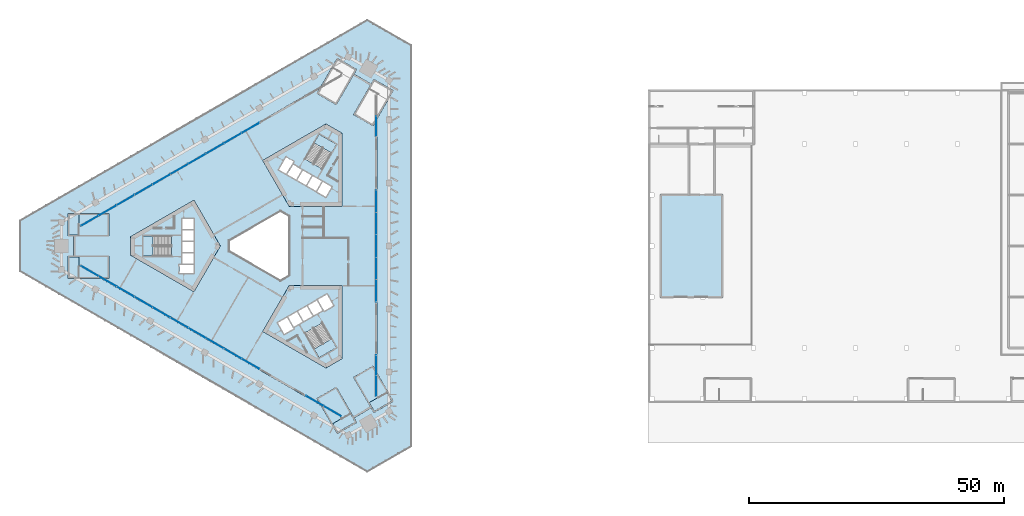
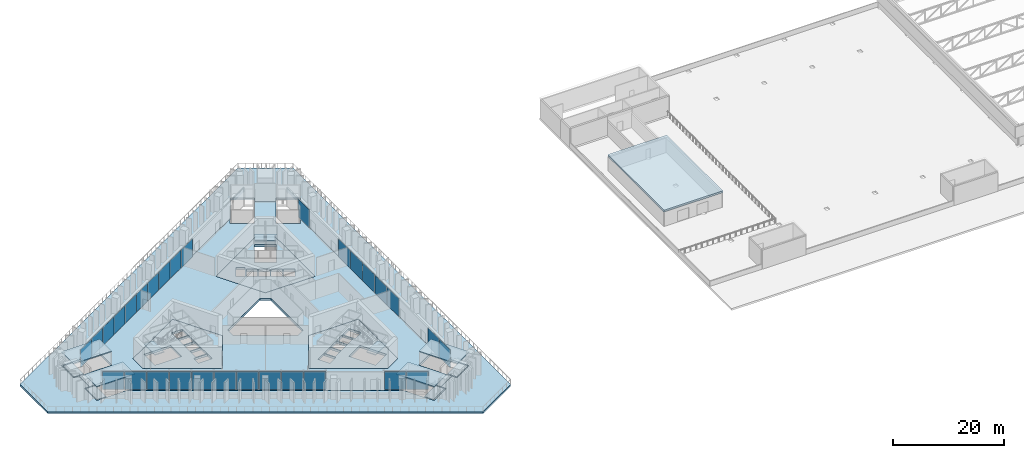
# One storey, part 14 of 31: 30 plates, 17 slabs, 9 elements without a shape of their own.
"""IFC4 building model written with IfcOpenShell, lengths in metres."""

import ifcopenshell
import ifcopenshell.guid

model = None  # the IFC model being written
_history = None  # IfcOwnerHistory: only IFC2X3 demands one
_inside = {}  # id of a spatial element -> (the spatial element, [elements in it])
_under = {}  # id of a project, library or spatial element -> (it, [spatial elements below it])
_declared = {}  # id of a project -> (the project, [libraries it declares])
_typed = {}  # id of a type object -> (the type object, [elements of that type])
_made_of = {}  # id of a material, layer set ... -> (it, [elements and type objects made of it])


def new_model(schema):
    """Start an empty IFC model of exactly this schema.

    Asked for "IFC4X3", IfcOpenShell would pick the latest addendum, in which some entities
    have other attributes; the version numbers below select the first issue.
    IFC2X3 requires an IfcOwnerHistory on every rooted entity: one is made here for all.
    """
    global model, _history
    if schema == "IFC4X3":
        model = ifcopenshell.file(schema_version=(4, 3, 0, 0))
    else:
        model = ifcopenshell.file(schema=schema)
    _inside.clear()
    _under.clear()
    _declared.clear()
    _typed.clear()
    _made_of.clear()
    _history = None
    if model.schema == "IFC2X3":
        org = make("IfcOrganization", Name="unknown")
        user = make(
            "IfcPersonAndOrganization",
            ThePerson=make("IfcPerson", FamilyName="unknown"),
            TheOrganization=org,
        )
        app = make(
            "IfcApplication",
            ApplicationDeveloper=org,
            Version="unknown",
            ApplicationFullName="unknown",
            ApplicationIdentifier="unknown",
        )
        _history = make(
            "IfcOwnerHistory",
            OwningUser=user,
            OwningApplication=app,
            ChangeAction="ADDED",
            CreationDate=0,
        )
    return model


def make(cls, **values):
    """One entity of the class cls with the attributes given. An attribute that is None is left unset."""
    return model.create_entity(
        cls, **{name: value for name, value in values.items() if value is not None}
    )


def rooted(cls, **values):
    """An entity with a GlobalId (a new one), such as an element, a storey or a relation."""
    return make(cls, GlobalId=ifcopenshell.guid.new(), OwnerHistory=_history, **values)


def si_unit(unit_type, name, prefix=None):
    """IfcSIUnit, for example si_unit("LENGTHUNIT", "METRE", prefix="MILLI")."""
    return make("IfcSIUnit", UnitType=unit_type, Prefix=prefix, Name=name)


def assignment(units):
    """IfcUnitAssignment: the units of a project."""
    return None if units is None else make("IfcUnitAssignment", Units=units)


def point(xyz):
    """IfcCartesianPoint."""
    return None if xyz is None else make("IfcCartesianPoint", Coordinates=xyz)


def direction(xyz):
    """IfcDirection."""
    return None if xyz is None else make("IfcDirection", DirectionRatios=xyz)


def frame(location, z_axis=None, x_axis=None):
    """IfcAxis2Placement3D, a coordinate frame: its origin and axes. An axis left out is left unset."""
    return make(
        "IfcAxis2Placement3D",
        Location=point(location),
        Axis=direction(z_axis),
        RefDirection=direction(x_axis),
    )


def frame_2d(location, x_axis=None):
    """IfcAxis2Placement2D, a coordinate frame in the plane: its origin and x axis."""
    return make(
        "IfcAxis2Placement2D", Location=point(location), RefDirection=direction(x_axis)
    )


def origin():
    """The frame at (0, 0, 0) with its axes left unset."""
    return frame((0.0, 0.0, 0.0))


def origin_2d():
    """The frame at (0, 0) in the plane with its x axis left unset."""
    return frame_2d((0.0, 0.0))


def place(relative_to, where):
    """IfcLocalPlacement: puts the frame where relative to a parent placement (None: the world)."""
    return make(
        "IfcLocalPlacement", PlacementRelTo=relative_to, RelativePlacement=where
    )


def context(
    kind, dimensions, precision=None, world=None, true_north=None, identifier=None
):
    """IfcGeometricRepresentationContext, for example the 3D "Model" context."""
    return make(
        "IfcGeometricRepresentationContext",
        ContextIdentifier=identifier,
        ContextType=kind,
        CoordinateSpaceDimension=dimensions,
        Precision=precision,
        WorldCoordinateSystem=world,
        TrueNorth=true_north,
    )


def subcontext(parent, identifier, kind, view, scale=None):
    """IfcGeometricRepresentationSubContext, for example "Body" below "Model"."""
    return make(
        "IfcGeometricRepresentationSubContext",
        ContextIdentifier=identifier,
        ContextType=kind,
        ParentContext=parent,
        TargetScale=scale,
        TargetView=view,
    )


def project(units=None, contexts=None):
    """IfcProject with its units and contexts."""
    return rooted(
        "IfcProject",
        Name="project",
        RepresentationContexts=contexts,
        UnitsInContext=assignment(units),
    )


def spatial(cls, under=None, at=None, **own):
    """A site, building, storey or space (cls), placed at a placement, below another one or the project."""
    s = rooted(cls, ObjectPlacement=at, **own)
    if under is not None:
        _under.setdefault(under.id(), (under, []))[1].append(s)
    return s


def polyline(points):
    """IfcPolyline through the points."""
    return make("IfcPolyline", Points=[point(p) for p in points])


def profile(cls, at=None, kind="AREA", **sizes):
    """A parametric profile (cls). Its sizes go by their IFC names, for example OverallWidth=200.0."""
    return make(cls, ProfileType=kind, Position=at, **sizes)


def rectangle(**sizes):
    """IfcRectangleProfileDef."""
    return profile("IfcRectangleProfileDef", **sizes)


def outline(outer, holes=None, kind="AREA"):
    """IfcArbitraryClosedProfileDef: a profile drawn as a closed curve; with holes, ...WithVoids."""
    if holes is None:
        return make("IfcArbitraryClosedProfileDef", ProfileType=kind, OuterCurve=outer)
    return make(
        "IfcArbitraryProfileDefWithVoids",
        ProfileType=kind,
        OuterCurve=outer,
        InnerCurves=holes,
    )


def extrude(swept, where, along, depth):
    """IfcExtrudedAreaSolid: the profile swept, set in the frame where, extruded along a direction by depth."""
    return make(
        "IfcExtrudedAreaSolid",
        SweptArea=swept,
        Position=where,
        ExtrudedDirection=direction(along),
        Depth=depth,
    )


def shape(context_of_items, identifier, shape_type, items):
    """IfcShapeRepresentation: the items that make up one representation, for example the "Body"."""
    return make(
        "IfcShapeRepresentation",
        ContextOfItems=context_of_items,
        RepresentationIdentifier=identifier,
        RepresentationType=shape_type,
        Items=items,
    )


def material(Name=None, Category=None):
    """IfcMaterial."""
    return make("IfcMaterial", Name=Name, Category=Category)


def layer(
    of_material, thickness, ventilated=None, Name=None, Category=None, Priority=None
):
    """IfcMaterialLayer: one layer of a wall or slab, of a material (None: an air gap)."""
    return make(
        "IfcMaterialLayer",
        Material=of_material,
        LayerThickness=thickness,
        IsVentilated=ventilated,
        Name=Name,
        Category=Category,
        Priority=Priority,
    )


def layer_set(layers, Name=None):
    """IfcMaterialLayerSet."""
    return make("IfcMaterialLayerSet", MaterialLayers=layers, LayerSetName=Name)


def made_of(thing, what):
    """Note that an element or type object is made of a material, layer set ...; save() writes the relation."""
    if what is not None:
        _made_of.setdefault(what.id(), (what, []))[1].append(thing)
    return thing


def type_object(cls, material=None, **own):
    """A type object (cls), such as IfcWallType, which elements share."""
    return made_of(rooted(cls, **own), material)


def element(
    cls,
    number,
    at=None,
    inside=None,
    cuts=None,
    type_object=None,
    material=None,
    context=None,
    identifier="Body",
    shape_type=None,
    held_by="IfcProductDefinitionShape",
    body=None,
    shapes=None,
    **own,
):
    """One element of the class cls, such as IfcWall. Its Tag is "e" and its number.

    at: its placement. inside: the storey or other place that contains it. cuts: it is an
    opening in that element (IfcRelVoidsElement). A single representation is given by context,
    identifier, shape_type and body (its items); several are given by shapes. held_by: the class
    of the entity that holds the representations. save() writes the other relations.
    """
    e = rooted(cls, Tag="e%d" % number, ObjectPlacement=at, **own)
    if body is not None:
        shapes = [shape(context, identifier, shape_type, body)]
    if shapes is not None:
        e.Representation = make(held_by, Representations=shapes)
    if inside is not None:
        _inside.setdefault(inside.id(), (inside, []))[1].append(e)
    if cuts is not None:
        rooted(
            "IfcRelVoidsElement", RelatingBuildingElement=cuts, RelatedOpeningElement=e
        )
    if type_object is not None:
        _typed.setdefault(type_object.id(), (type_object, []))[1].append(e)
    return made_of(e, material)


def aggregate(whole, parts):
    """IfcRelAggregates: a whole, such as a stair, and the parts it consists of."""
    return rooted("IfcRelAggregates", RelatingObject=whole, RelatedObjects=parts)


def save(model, path):
    """Write the relations noted so far, then the file.

    IfcRelAggregates (storeys below a building ...), IfcRelContainedInSpatialStructure (elements
    in a storey), IfcRelDefinesByType, IfcRelAssociatesMaterial and IfcRelDeclares: one each for
    every whole, place, type object, material and project.
    """
    for whole, parts in _under.values():
        aggregate(whole, parts)
    for where, things in _inside.values():
        rooted(
            "IfcRelContainedInSpatialStructure",
            RelatedElements=things,
            RelatingStructure=where,
        )
    for kind, things in _typed.values():
        rooted("IfcRelDefinesByType", RelatedObjects=things, RelatingType=kind)
    for what, things in _made_of.values():
        rooted("IfcRelAssociatesMaterial", RelatedObjects=things, RelatingMaterial=what)
    for by, libraries in _declared.values():
        rooted("IfcRelDeclares", RelatingContext=by, RelatedDefinitions=libraries)
    model.write(path)


model = new_model("IFC4")

# Units and contexts
model_context = context("Model", 3, precision=1e-05, world=origin(), true_north=direction((0.0, 1.0)))
body_context = subcontext(model_context, "Body", "Model", "MODEL_VIEW")
ifc_project = project(units=[si_unit("LENGTHUNIT", "METRE"), si_unit("AREAUNIT", "SQUARE_METRE"), si_unit("VOLUMEUNIT", "CUBIC_METRE"), si_unit("PLANEANGLEUNIT", "RADIAN"), si_unit("MASSUNIT", "GRAM", prefix="KILO")], contexts=[model_context])

# Site, building, storey
site_placement = place(None, origin())
site = spatial("IfcSite", under=ifc_project, at=site_placement, CompositionType="ELEMENT")
building_placement = place(site_placement, origin())
building = spatial("IfcBuilding", under=site, at=building_placement, Name="Jabali Bay Hotel Tower and Convention Centre", CompositionType="ELEMENT")
storey_placement = place(building_placement, frame((0.0, 0.0, 25.39990234375)))
storey = spatial("IfcBuildingStorey", under=building, at=storey_placement, Name="L04", CompositionType="ELEMENT", Elevation=25.39990234375)

# Slab
ifc_material_1 = material(Name="Concrete C40", Category="concrete")
ifc_layer_1 = layer(ifc_material_1, 0.409912109375)
ifc_layer_set_1 = layer_set([ifc_layer_1], Name="Concrete C40")
slab_type_1 = type_object("IfcSlabType", Name="CC Roof Slab 410", PredefinedType="ROOF", material=ifc_layer_set_1)
slab_1_placement = place(storey_placement, frame((0.0, 0.0, 3.190185546875)))
element("IfcSlab", 1, at=slab_1_placement, inside=storey, type_object=slab_type_1, Name="CC roof garden restaurant roof", PredefinedType="ROOF", context=body_context, shape_type="SweptSolid", body=[
    extrude(outline(polyline([(164.64990234375, 69.85009765625), (164.64990234375, 90.14990234375), (152.35009765625, 90.14990234375), (152.35009765625, 69.85009765625), (164.64990234375, 69.85009765625)])), origin(), (0.0, 0.0, 1.0), 0.409912109375),
])

# Curtain wall, plates
ifc_material_2 = material(Name="Aluminium and glass", Category="aluminium")
ifc_layer_2 = layer(ifc_material_2, 0.199951171875)
ifc_layer_set_2 = layer_set([ifc_layer_2], Name="Aluminium and glass")
curtain_wall_type = type_object("IfcCurtainWallType", Name="CW6 curtain wall", PredefinedType="NOTDEFINED", material=ifc_layer_set_2)
curtain_wall_1_placement = place(storey_placement, origin())
curtain_wall_1 = element("IfcCurtainWall", 2, at=curtain_wall_1_placement, inside=storey, type_object=curtain_wall_type, Name="CW6 curtain wall east face L04", PredefinedType="NOTDEFINED")
ifc_material_3 = material(Name="Glass", Category="glass")
ifc_layer_3 = layer(ifc_material_3, 0.031982421875)
ifc_layer_set_3 = layer_set([ifc_layer_3], Name="Glass")
plate_type = type_object("IfcPlateType", Name="CW6 glass panel 32", PredefinedType="CURTAIN_PANEL", material=ifc_layer_set_3)
plate_1_placement = place(storey_placement, frame((96.5927734375, 56.52099609375, 0.06005859375), z_axis=(0.0, 0.0, 1.0), x_axis=(0.0, -1.0, 0.0)))
plate_1 = element("IfcPlate", 3, at=plate_1_placement, type_object=plate_type, Name="CW6 panel 1.1", PredefinedType="CURTAIN_PANEL", context=body_context, shape_type="SweptSolid", body=[
    extrude(rectangle(XDim=3.964599609375, YDim=0.031982421875, at=origin_2d()), origin(), (0.0, 0.0, 1.0), 3.97998046875),
])
plate_2_placement = place(storey_placement, frame((96.5927734375, 52.49658203125, 0.06005859375), z_axis=(0.0, 0.0, 1.0), x_axis=(0.0, -1.0, 0.0)))
plate_2 = element("IfcPlate", 4, at=plate_2_placement, type_object=plate_type, Name="CW6 panel 2.1", PredefinedType="CURTAIN_PANEL", context=body_context, shape_type="SweptSolid", body=[
    extrude(rectangle(XDim=3.964599609375, YDim=0.031982421875, at=origin_2d()), origin(), (0.0, 0.0, 1.0), 3.97998046875),
])
aggregate(curtain_wall_1, [plate_1, plate_2])

curtain_wall_2_placement = place(storey_placement, origin())
curtain_wall_2 = element("IfcCurtainWall", 5, at=curtain_wall_2_placement, inside=storey, type_object=curtain_wall_type, Name="CW6 curtain wall east face L04", PredefinedType="NOTDEFINED")
plate_3_placement = place(storey_placement, frame((96.5927734375, 88.778564453125, 0.06005859375), z_axis=(0.0, 0.0, 1.0), x_axis=(0.0, -1.0, 0.0)))
plate_3 = element("IfcPlate", 6, at=plate_3_placement, type_object=plate_type, Name="CW6 panel 1.1", PredefinedType="CURTAIN_PANEL", context=body_context, shape_type="SweptSolid", body=[
    extrude(rectangle(XDim=4.306884765625, YDim=0.031982421875, at=origin_2d()), origin(), (0.0, 0.0, 1.0), 3.97998046875),
])
plate_4_placement = place(storey_placement, frame((96.5927734375, 84.396728515625, 0.06005859375), z_axis=(0.0, 0.0, 1.0), x_axis=(0.0, -1.0, 0.0)))
plate_4 = element("IfcPlate", 7, at=plate_4_placement, type_object=plate_type, Name="CW6 panel 2.1", PredefinedType="CURTAIN_PANEL", context=body_context, shape_type="SweptSolid", body=[
    extrude(rectangle(XDim=4.3369140625, YDim=0.031982421875, at=origin_2d()), origin(), (0.0, 0.0, 1.0), 3.97998046875),
])
plate_5_placement = place(storey_placement, frame((96.5927734375, 80.0, 0.06005859375), z_axis=(0.0, 0.0, 1.0), x_axis=(0.0, -1.0, 0.0)))
plate_5 = element("IfcPlate", 8, at=plate_5_placement, type_object=plate_type, Name="CW6 panel 3.1", PredefinedType="CURTAIN_PANEL", context=body_context, shape_type="SweptSolid", body=[
    extrude(rectangle(XDim=4.3369140625, YDim=0.031982421875, at=origin_2d()), origin(), (0.0, 0.0, 1.0), 3.97998046875),
])
plate_6_placement = place(storey_placement, frame((96.5927734375, 75.603271484375, 0.06005859375), z_axis=(0.0, 0.0, 1.0), x_axis=(0.0, -1.0, 0.0)))
plate_6 = element("IfcPlate", 9, at=plate_6_placement, type_object=plate_type, Name="CW6 panel 4.1", PredefinedType="CURTAIN_PANEL", context=body_context, shape_type="SweptSolid", body=[
    extrude(rectangle(XDim=4.3369140625, YDim=0.031982421875, at=origin_2d()), origin(), (0.0, 0.0, 1.0), 3.97998046875),
])
plate_7_placement = place(storey_placement, frame((96.5927734375, 71.221435546875, 0.06005859375), z_axis=(0.0, 0.0, 1.0), x_axis=(0.0, -1.0, 0.0)))
plate_7 = element("IfcPlate", 10, at=plate_7_placement, type_object=plate_type, Name="CW6 panel 5.1", PredefinedType="CURTAIN_PANEL", context=body_context, shape_type="SweptSolid", body=[
    extrude(rectangle(XDim=4.306884765625, YDim=0.031982421875, at=origin_2d()), origin(), (0.0, 0.0, 1.0), 3.97998046875),
])
aggregate(curtain_wall_2, [plate_3, plate_4, plate_5, plate_6, plate_7])

# Curtain wall, plate
curtain_wall_3_placement = place(storey_placement, origin())
curtain_wall_3 = element("IfcCurtainWall", 11, at=curtain_wall_3_placement, inside=storey, type_object=curtain_wall_type, Name="CW6 curtain wall east face L04", PredefinedType="NOTDEFINED")
plate_8_placement = place(storey_placement, frame((96.5927734375, 103.47900390625, 0.06005859375), z_axis=(0.0, 0.0, 1.0), x_axis=(0.0, -1.0, 0.0)))
plate_8 = element("IfcPlate", 12, at=plate_8_placement, type_object=plate_type, Name="CW6 panel 2.1", PredefinedType="CURTAIN_PANEL", context=body_context, shape_type="SweptSolid", body=[
    extrude(rectangle(XDim=3.964599609375, YDim=0.031982421875, at=origin_2d()), origin(), (0.0, 0.0, 1.0), 3.97998046875),
])
aggregate(curtain_wall_3, [plate_8])

# Curtain wall, plates
curtain_wall_4_placement = place(storey_placement, origin())
curtain_wall_4 = element("IfcCurtainWall", 13, at=curtain_wall_4_placement, inside=storey, type_object=curtain_wall_type, Name="CW6 curtain wall north-west face L04", PredefinedType="NOTDEFINED")
plate_9_placement = place(storey_placement, frame((40.384521484375, 84.947998046875, 0.06005859375), z_axis=(0.0, 0.0, 1.0), x_axis=(0.866025404971, 0.499999997944, 0.0)))
plate_9 = element("IfcPlate", 14, at=plate_9_placement, type_object=plate_type, Name="CW6 panel 1.1", PredefinedType="CURTAIN_PANEL", context=body_context, shape_type="SweptSolid", body=[
    extrude(rectangle(XDim=3.9638671875, YDim=0.031982421875, at=origin_2d()), origin(), (0.0, 0.0, 1.0), 3.97998046875),
])
plate_10_placement = place(storey_placement, frame((43.882080078125, 86.967529296875, 0.06005859375), z_axis=(0.0, 0.0, 1.0), x_axis=(0.866025404971, 0.499999997944, 0.0)))
plate_10 = element("IfcPlate", 15, at=plate_10_placement, type_object=plate_type, Name="CW6 panel 2.1", PredefinedType="CURTAIN_PANEL", context=body_context, shape_type="SweptSolid", body=[
    extrude(rectangle(XDim=3.993896484375, YDim=0.031982421875, at=origin_2d()), origin(), (0.0, 0.0, 1.0), 3.97998046875),
])
plate_11_placement = place(storey_placement, frame((47.392822265625, 88.994384765625, 0.06005859375), z_axis=(0.0, 0.0, 1.0), x_axis=(0.866025404971, 0.499999997944, 0.0)))
plate_11 = element("IfcPlate", 16, at=plate_11_placement, type_object=plate_type, Name="CW6 panel 3.1", PredefinedType="CURTAIN_PANEL", context=body_context, shape_type="SweptSolid", body=[
    extrude(rectangle(XDim=3.993896484375, YDim=0.031982421875, at=origin_2d()), origin(), (0.0, 0.0, 1.0), 3.97998046875),
])
plate_12_placement = place(storey_placement, frame((50.903564453125, 91.021240234375, 0.06005859375), z_axis=(0.0, 0.0, 1.0), x_axis=(0.866025404971, 0.499999997944, 0.0)))
plate_12 = element("IfcPlate", 17, at=plate_12_placement, type_object=plate_type, Name="CW6 panel 4.1", PredefinedType="CURTAIN_PANEL", context=body_context, shape_type="SweptSolid", body=[
    extrude(rectangle(XDim=3.993896484375, YDim=0.031982421875, at=origin_2d()), origin(), (0.0, 0.0, 1.0), 3.97998046875),
])
plate_13_placement = place(storey_placement, frame((54.414306640625, 93.048095703125, 0.06005859375), z_axis=(0.0, 0.0, 1.0), x_axis=(0.866025404971, 0.499999997944, 0.0)))
plate_13 = element("IfcPlate", 18, at=plate_13_placement, type_object=plate_type, Name="CW6 panel 5.1", PredefinedType="CURTAIN_PANEL", context=body_context, shape_type="SweptSolid", body=[
    extrude(rectangle(XDim=3.993896484375, YDim=0.031982421875, at=origin_2d()), origin(), (0.0, 0.0, 1.0), 3.97998046875),
])
plate_14_placement = place(storey_placement, frame((57.925048828125, 95.074951171875, 0.06005859375), z_axis=(0.0, 0.0, 1.0), x_axis=(0.866025404971, 0.499999997944, 0.0)))
plate_14 = element("IfcPlate", 19, at=plate_14_placement, type_object=plate_type, Name="CW6 panel 6.1", PredefinedType="CURTAIN_PANEL", context=body_context, shape_type="SweptSolid", body=[
    extrude(rectangle(XDim=3.993896484375, YDim=0.031982421875, at=origin_2d()), origin(), (0.0, 0.0, 1.0), 3.97998046875),
])
plate_15_placement = place(storey_placement, frame((61.435546875, 97.101806640625, 0.06005859375), z_axis=(0.0, 0.0, 1.0), x_axis=(0.866025404971, 0.499999997944, 0.0)))
plate_15 = element("IfcPlate", 20, at=plate_15_placement, type_object=plate_type, Name="CW6 panel 7.1", PredefinedType="CURTAIN_PANEL", context=body_context, shape_type="SweptSolid", body=[
    extrude(rectangle(XDim=3.993896484375, YDim=0.031982421875, at=origin_2d()), origin(), (0.0, 0.0, 1.0), 3.97998046875),
])
plate_16_placement = place(storey_placement, frame((64.9462890625, 99.12890625, 0.06005859375), z_axis=(0.0, 0.0, 1.0), x_axis=(0.866025404971, 0.499999997944, 0.0)))
plate_16 = element("IfcPlate", 21, at=plate_16_placement, type_object=plate_type, Name="CW6 panel 8.1", PredefinedType="CURTAIN_PANEL", context=body_context, shape_type="SweptSolid", body=[
    extrude(rectangle(XDim=3.993896484375, YDim=0.031982421875, at=origin_2d()), origin(), (0.0, 0.0, 1.0), 3.97998046875),
])
plate_17_placement = place(storey_placement, frame((68.45703125, 101.15576171875, 0.06005859375), z_axis=(0.0, 0.0, 1.0), x_axis=(0.866025404971, 0.499999997944, 0.0)))
plate_17 = element("IfcPlate", 22, at=plate_17_placement, type_object=plate_type, Name="CW6 panel 9.1", PredefinedType="CURTAIN_PANEL", context=body_context, shape_type="SweptSolid", body=[
    extrude(rectangle(XDim=3.993896484375, YDim=0.031982421875, at=origin_2d()), origin(), (0.0, 0.0, 1.0), 3.97998046875),
])
plate_18_placement = place(storey_placement, frame((71.95458984375, 103.175048828125, 0.06005859375), z_axis=(0.0, 0.0, 1.0), x_axis=(0.866025404971, 0.499999997944, 0.0)))
plate_18 = element("IfcPlate", 23, at=plate_18_placement, type_object=plate_type, Name="CW6 panel 10.1", PredefinedType="CURTAIN_PANEL", context=body_context, shape_type="SweptSolid", body=[
    extrude(rectangle(XDim=3.9638671875, YDim=0.031982421875, at=origin_2d()), origin(), (0.0, 0.0, 1.0), 3.97998046875),
])
aggregate(curtain_wall_4, [plate_9, plate_10, plate_11, plate_12, plate_13, plate_14, plate_15, plate_16, plate_17, plate_18])

curtain_wall_5_placement = place(storey_placement, origin())
curtain_wall_5 = element("IfcCurtainWall", 24, at=curtain_wall_5_placement, inside=storey, type_object=curtain_wall_type, Name="CW6 curtain wall south-west face L04", PredefinedType="NOTDEFINED")
plate_19_placement = place(storey_placement, frame((71.95458984375, 56.824951171875, 0.06005859375), z_axis=(0.0, 0.0, 1.0), x_axis=(-0.866025404971, 0.499999997944, 0.0)))
plate_19 = element("IfcPlate", 25, at=plate_19_placement, type_object=plate_type, Name="CW6 panel 1.1", PredefinedType="CURTAIN_PANEL", context=body_context, shape_type="SweptSolid", body=[
    extrude(rectangle(XDim=3.9638671875, YDim=0.031982421875, at=origin_2d()), origin(), (0.0, 0.0, 1.0), 3.97998046875),
])
plate_20_placement = place(storey_placement, frame((68.45703125, 58.84423828125, 0.06005859375), z_axis=(0.0, 0.0, 1.0), x_axis=(-0.866025404971, 0.499999997944, 0.0)))
plate_20 = element("IfcPlate", 26, at=plate_20_placement, type_object=plate_type, Name="CW6 panel 2.1", PredefinedType="CURTAIN_PANEL", context=body_context, shape_type="SweptSolid", body=[
    extrude(rectangle(XDim=3.993896484375, YDim=0.031982421875, at=origin_2d()), origin(), (0.0, 0.0, 1.0), 3.97998046875),
])
plate_21_placement = place(storey_placement, frame((64.9462890625, 60.87109375, 0.06005859375), z_axis=(0.0, 0.0, 1.0), x_axis=(-0.866025404971, 0.499999997944, 0.0)))
plate_21 = element("IfcPlate", 27, at=plate_21_placement, type_object=plate_type, Name="CW6 panel 3.1", PredefinedType="CURTAIN_PANEL", context=body_context, shape_type="SweptSolid", body=[
    extrude(rectangle(XDim=3.993896484375, YDim=0.031982421875, at=origin_2d()), origin(), (0.0, 0.0, 1.0), 3.97998046875),
])
plate_22_placement = place(storey_placement, frame((61.435546875, 62.898193359375, 0.06005859375), z_axis=(0.0, 0.0, 1.0), x_axis=(-0.866025404971, 0.499999997944, 0.0)))
plate_22 = element("IfcPlate", 28, at=plate_22_placement, type_object=plate_type, Name="CW6 panel 4.1", PredefinedType="CURTAIN_PANEL", context=body_context, shape_type="SweptSolid", body=[
    extrude(rectangle(XDim=3.993896484375, YDim=0.031982421875, at=origin_2d()), origin(), (0.0, 0.0, 1.0), 3.97998046875),
])
plate_23_placement = place(storey_placement, frame((57.925048828125, 64.925048828125, 0.06005859375), z_axis=(0.0, 0.0, 1.0), x_axis=(-0.866025404971, 0.499999997944, 0.0)))
plate_23 = element("IfcPlate", 29, at=plate_23_placement, type_object=plate_type, Name="CW6 panel 5.1", PredefinedType="CURTAIN_PANEL", context=body_context, shape_type="SweptSolid", body=[
    extrude(rectangle(XDim=3.993896484375, YDim=0.031982421875, at=origin_2d()), origin(), (0.0, 0.0, 1.0), 3.97998046875),
])
plate_24_placement = place(storey_placement, frame((54.414306640625, 66.951904296875, 0.06005859375), z_axis=(0.0, 0.0, 1.0), x_axis=(-0.866025404971, 0.499999997944, 0.0)))
plate_24 = element("IfcPlate", 30, at=plate_24_placement, type_object=plate_type, Name="CW6 panel 6.1", PredefinedType="CURTAIN_PANEL", context=body_context, shape_type="SweptSolid", body=[
    extrude(rectangle(XDim=3.993896484375, YDim=0.031982421875, at=origin_2d()), origin(), (0.0, 0.0, 1.0), 3.97998046875),
])
plate_25_placement = place(storey_placement, frame((50.903564453125, 68.978759765625, 0.06005859375), z_axis=(0.0, 0.0, 1.0), x_axis=(-0.866025404971, 0.499999997944, 0.0)))
plate_25 = element("IfcPlate", 31, at=plate_25_placement, type_object=plate_type, Name="CW6 panel 7.1", PredefinedType="CURTAIN_PANEL", context=body_context, shape_type="SweptSolid", body=[
    extrude(rectangle(XDim=3.993896484375, YDim=0.031982421875, at=origin_2d()), origin(), (0.0, 0.0, 1.0), 3.97998046875),
])
plate_26_placement = place(storey_placement, frame((47.392822265625, 71.005615234375, 0.06005859375), z_axis=(0.0, 0.0, 1.0), x_axis=(-0.866025404971, 0.499999997944, 0.0)))
plate_26 = element("IfcPlate", 32, at=plate_26_placement, type_object=plate_type, Name="CW6 panel 8.1", PredefinedType="CURTAIN_PANEL", context=body_context, shape_type="SweptSolid", body=[
    extrude(rectangle(XDim=3.993896484375, YDim=0.031982421875, at=origin_2d()), origin(), (0.0, 0.0, 1.0), 3.97998046875),
])
plate_27_placement = place(storey_placement, frame((43.882080078125, 73.032470703125, 0.06005859375), z_axis=(0.0, 0.0, 1.0), x_axis=(-0.866025404971, 0.499999997944, 0.0)))
plate_27 = element("IfcPlate", 33, at=plate_27_placement, type_object=plate_type, Name="CW6 panel 9.1", PredefinedType="CURTAIN_PANEL", context=body_context, shape_type="SweptSolid", body=[
    extrude(rectangle(XDim=3.993896484375, YDim=0.031982421875, at=origin_2d()), origin(), (0.0, 0.0, 1.0), 3.97998046875),
])
plate_28_placement = place(storey_placement, frame((40.384521484375, 75.052001953125, 0.06005859375), z_axis=(0.0, 0.0, 1.0), x_axis=(-0.866025404971, 0.499999997944, 0.0)))
plate_28 = element("IfcPlate", 34, at=plate_28_placement, type_object=plate_type, Name="CW6 panel 10.1", PredefinedType="CURTAIN_PANEL", context=body_context, shape_type="SweptSolid", body=[
    extrude(rectangle(XDim=3.9638671875, YDim=0.031982421875, at=origin_2d()), origin(), (0.0, 0.0, 1.0), 3.97998046875),
])
aggregate(curtain_wall_5, [plate_19, plate_20, plate_21, plate_22, plate_23, plate_24, plate_25, plate_26, plate_27, plate_28])

curtain_wall_6_placement = place(storey_placement, origin())
curtain_wall_6 = element("IfcCurtainWall", 35, at=curtain_wall_6_placement, inside=storey, type_object=curtain_wall_type, Name="CW6 curtain wall south-west face L04", PredefinedType="NOTDEFINED")
plate_29_placement = place(storey_placement, frame((88.022216796875, 47.54833984375, 0.06005859375), z_axis=(0.0, 0.0, 1.0), x_axis=(-0.866025404971, 0.499999997944, 0.0)))
plate_29 = element("IfcPlate", 36, at=plate_29_placement, type_object=plate_type, Name="CW6 panel 1.1", PredefinedType="CURTAIN_PANEL", context=body_context, shape_type="SweptSolid", body=[
    extrude(rectangle(XDim=3.964599609375, YDim=0.031982421875, at=origin_2d()), origin(), (0.0, 0.0, 1.0), 3.97998046875),
])
plate_30_placement = place(storey_placement, frame((84.537109375, 49.560546875, 0.06005859375), z_axis=(0.0, 0.0, 1.0), x_axis=(-0.866025404971, 0.499999997944, 0.0)))
plate_30 = element("IfcPlate", 37, at=plate_30_placement, type_object=plate_type, Name="CW6 panel 2.1", PredefinedType="CURTAIN_PANEL", context=body_context, shape_type="SweptSolid", body=[
    extrude(rectangle(XDim=3.964599609375, YDim=0.031982421875, at=origin_2d()), origin(), (0.0, 0.0, 1.0), 3.97998046875),
])
aggregate(curtain_wall_6, [plate_29, plate_30])

# Slabs
ifc_layer_4 = layer(ifc_material_1, 0.5)
ifc_layer_set_4 = layer_set([ifc_layer_4], Name="Concrete C40")
slab_type_2 = type_object("IfcSlabType", Name="Core floor slab 500", PredefinedType="FLOOR", material=ifc_layer_set_4)
slab_2_placement = place(storey_placement, frame((0.0, 0.0, -0.5)))
element("IfcSlab", 38, at=slab_2_placement, inside=storey, type_object=slab_type_2, Name="Core floor slab 1 L04", PredefinedType="FLOOR", context=body_context, shape_type="SweptSolid", body=[
    extrude(outline(polyline([(66.0, 80.0), (60.81005859375, 88.9892578125), (48.39697265625, 81.82275390625), (48.39697265625, 78.17724609375), (60.81005859375, 71.0107421875), (66.0, 80.0)]), holes=[polyline([(60.800048828125, 74.64990234375), (60.800048828125, 76.35009765625), (57.949951171875, 76.35009765625), (57.949951171875, 74.64990234375), (60.800048828125, 74.64990234375)]), polyline([(58.52001953125, 76.550048828125), (60.800048828125, 76.550048828125), (60.800048828125, 78.60009765625), (58.52001953125, 78.60009765625), (58.52001953125, 76.550048828125)]), polyline([(58.52001953125, 78.800048828125), (60.800048828125, 78.800048828125), (60.800048828125, 80.85009765625), (58.52001953125, 80.85009765625), (58.52001953125, 78.800048828125)]), polyline([(56.409912109375, 81.97509765625), (50.820068359375, 81.97509765625), (50.820068359375, 78.02490234375), (56.409912109375, 78.02490234375), (56.409912109375, 81.97509765625)]), polyline([(58.52001953125, 81.050048828125), (60.800048828125, 81.050048828125), (60.800048828125, 83.10009765625), (58.52001953125, 83.10009765625), (58.52001953125, 81.050048828125)]), polyline([(58.52001953125, 83.300048828125), (60.800048828125, 83.300048828125), (60.800048828125, 85.35009765625), (58.52001953125, 85.35009765625), (58.52001953125, 83.300048828125)])]), origin(), (0.0, 0.0, 1.0), 0.5),
])
slab_3_placement = place(storey_placement, frame((0.0, 0.0, -0.5)))
element("IfcSlab", 39, at=slab_3_placement, inside=storey, type_object=slab_type_2, Name="Core floor slab 2 L04", PredefinedType="FLOOR", context=body_context, shape_type="SweptSolid", body=[
    extrude(outline(polyline([(79.5, 87.794189453125), (89.8798828125, 87.794189453125), (89.8798828125, 102.127685546875), (86.72314453125, 103.9501953125), (74.31005859375, 96.78369140625), (79.5, 87.794189453125)]), holes=[polyline([(84.957763671875, 90.6474609375), (86.733154296875, 89.62255859375), (87.873291015625, 91.59716796875), (86.097900390625, 92.6220703125), (84.957763671875, 90.6474609375)]), polyline([(84.1494140625, 93.7470703125), (83.00927734375, 91.7724609375), (84.78466796875, 90.74755859375), (85.924560546875, 92.72216796875), (84.1494140625, 93.7470703125)]), polyline([(82.20068359375, 94.8720703125), (81.060791015625, 92.8974609375), (82.836181640625, 91.87255859375), (83.97607421875, 93.84716796875), (82.20068359375, 94.8720703125)]), polyline([(79.1123046875, 94.0224609375), (80.887451171875, 92.99755859375), (82.027587890625, 94.97216796875), (80.252197265625, 95.9970703125), (79.1123046875, 94.0224609375)]), polyline([(78.891845703125, 97.440673828125), (77.466796875, 94.97265625), (78.93896484375, 94.12255859375), (80.364013671875, 96.5908203125), (78.891845703125, 97.440673828125)]), polyline([(82.584716796875, 97.0869140625), (86.00537109375, 95.11181640625), (88.80029296875, 99.952880859375), (85.379638671875, 101.927978515625), (82.584716796875, 97.0869140625)])]), origin(), (0.0, 0.0, 1.0), 0.5),
])
slab_4_placement = place(storey_placement, frame((0.0, 0.0, -0.5)))
element("IfcSlab", 40, at=slab_4_placement, inside=storey, type_object=slab_type_2, Name="Core floor slab 3 L04", PredefinedType="FLOOR", context=body_context, shape_type="SweptSolid", body=[
    extrude(outline(polyline([(79.5, 72.205810546875), (74.31005859375, 63.21630859375), (86.72314453125, 56.0498046875), (89.8798828125, 57.872314453125), (89.8798828125, 72.205810546875), (79.5, 72.205810546875)]), holes=[polyline([(82.584716796875, 62.9130859375), (85.379638671875, 58.072021484375), (88.80029296875, 60.047119140625), (86.00537109375, 64.88818359375), (82.584716796875, 62.9130859375)]), polyline([(80.365478515625, 63.756591796875), (79.090576171875, 65.96484375), (77.27197265625, 64.9150390625), (78.546875, 62.70654296875), (80.365478515625, 63.756591796875)]), polyline([(82.17919921875, 65.115478515625), (81.0390625, 67.08984375), (79.263671875, 66.06494140625), (80.40380859375, 64.09033203125), (82.17919921875, 65.115478515625)]), polyline([(82.98779296875, 68.21484375), (81.21240234375, 67.18994140625), (82.352294921875, 65.21533203125), (84.127685546875, 66.240478515625), (82.98779296875, 68.21484375)]), polyline([(86.076171875, 67.365478515625), (84.936279296875, 69.33984375), (83.160888671875, 68.31494140625), (84.30078125, 66.34033203125), (86.076171875, 67.365478515625)]), polyline([(88.203125, 68.281494140625), (86.927978515625, 70.489990234375), (85.109375, 69.43994140625), (86.384521484375, 67.231689453125), (88.203125, 68.281494140625)])]), origin(), (0.0, 0.0, 1.0), 0.5),
])
slab_5_placement = place(storey_placement, frame((0.0, 0.0, -0.5)))
element("IfcSlab", 41, at=slab_5_placement, inside=storey, type_object=slab_type_2, Name="Podium stair landing slab 1 L04", PredefinedType="FLOOR", context=body_context, shape_type="SweptSolid", body=[
    extrude(outline(polyline([(36.300048828125, 73.85009765625), (38.2529296875, 73.85009765625), (38.2529296875, 77.85009765625), (36.300048828125, 77.85009765625), (36.300048828125, 73.85009765625)])), origin(), (0.0, 0.0, 1.0), 0.5),
])
slab_6_placement = place(storey_placement, frame((0.0, 0.0, -0.5)))
element("IfcSlab", 42, at=slab_6_placement, inside=storey, type_object=slab_type_2, Name="Podium stair landing slab 2 L04", PredefinedType="FLOOR", context=body_context, shape_type="SweptSolid", body=[
    extrude(outline(polyline([(36.300048828125, 82.14990234375), (38.2529296875, 82.14990234375), (38.2529296875, 86.14990234375), (36.300048828125, 86.14990234375), (36.300048828125, 82.14990234375)])), origin(), (0.0, 0.0, 1.0), 0.5),
])
slab_7_placement = place(storey_placement, frame((0.0, 0.0, -0.5)))
element("IfcSlab", 43, at=slab_7_placement, inside=storey, type_object=slab_type_2, Name="Podium stair landing slab 5 L04", PredefinedType="FLOOR", context=body_context, shape_type="SweptSolid", body=[
    extrude(outline(polyline([(99.676025390625, 49.559814453125), (98.699462890625, 51.251220703125), (95.2353515625, 49.251220703125), (96.2119140625, 47.559814453125), (99.676025390625, 49.559814453125)])), origin(), (0.0, 0.0, 1.0), 0.5),
])
slab_8_placement = place(storey_placement, frame((0.0, 0.0, -0.5)))
element("IfcSlab", 44, at=slab_8_placement, inside=storey, type_object=slab_type_2, Name="Podium stair landing slab 6 L04", PredefinedType="FLOOR", context=body_context, shape_type="SweptSolid", body=[
    extrude(outline(polyline([(92.488037109375, 45.409912109375), (91.511474609375, 47.10107421875), (88.04736328125, 45.10107421875), (89.02392578125, 43.409912109375), (92.488037109375, 45.409912109375)])), origin(), (0.0, 0.0, 1.0), 0.5),
])
ifc_layer_5 = layer(ifc_material_1, 0.5)
ifc_layer_set_5 = layer_set([ifc_layer_5], Name="Concrete C40")
slab_type_3 = type_object("IfcSlabType", Name="Post-tensioned flat slab 500", PredefinedType="FLOOR", material=ifc_layer_set_5)
slab_9_placement = place(storey_placement, frame((0.0, 0.0, -0.5)))
element("IfcSlab", 45, at=slab_9_placement, inside=storey, type_object=slab_type_3, Name="Floor slab L04", PredefinedType="FLOOR", context=body_context, shape_type="SweptSolid", body=[
    extrude(outline(polyline([(44.10009765625, 78.050048828125), (37.167236328125, 78.050048828125), (37.167236328125, 81.949951171875), (44.10009765625, 81.949951171875), (44.10009765625, 86.35009765625), (42.5126953125, 86.35009765625), (85.744384765625, 111.309814453125), (84.95068359375, 109.935302734375), (88.76123046875, 107.735107421875), (92.227783203125, 113.7392578125), (95.605224609375, 111.789306640625), (92.138671875, 105.78515625), (95.94921875, 103.585205078125), (96.742919921875, 104.959716796875), (96.742919921875, 55.040283203125), (95.94921875, 56.414794921875), (92.138671875, 54.21484375), (95.605224609375, 48.210693359375), (92.227783203125, 46.2607421875), (88.76123046875, 52.264892578125), (84.95068359375, 50.064697265625), (85.744384765625, 48.690185546875), (42.5126953125, 73.64990234375), (44.10009765625, 73.64990234375), (44.10009765625, 78.050048828125)]), holes=[polyline([(67.73193359375, 79.0), (77.76806640625, 73.205810546875), (79.5, 74.205810546875), (79.5, 85.794189453125), (77.76806640625, 86.794189453125), (67.73193359375, 81.0), (67.73193359375, 79.0)]), polyline([(60.81005859375, 71.0107421875), (66.0, 80.0), (60.81005859375, 88.9892578125), (48.39697265625, 81.82275390625), (48.39697265625, 78.17724609375), (60.81005859375, 71.0107421875)]), polyline([(86.72314453125, 103.9501953125), (74.31005859375, 96.78369140625), (79.5, 87.794189453125), (89.8798828125, 87.794189453125), (89.8798828125, 102.127685546875), (86.72314453125, 103.9501953125)]), polyline([(86.72314453125, 56.0498046875), (89.8798828125, 57.872314453125), (89.8798828125, 72.205810546875), (79.5, 72.205810546875), (74.31005859375, 63.21630859375), (86.72314453125, 56.0498046875)])]), origin(), (0.0, 0.0, 1.0), 0.5),
])
ifc_layer_6 = layer(ifc_material_1, 0.199951171875)
ifc_layer_set_6 = layer_set([ifc_layer_6], Name="Concrete C40")
slab_type_4 = type_object("IfcSlabType", Name="Stair head-house roof 200", PredefinedType="ROOF", material=ifc_layer_set_6)
slab_10_placement = place(storey_placement, frame((0.0, 0.0, 2.900146484375)))
element("IfcSlab", 46, at=slab_10_placement, inside=storey, type_object=slab_type_4, Name="Podium stair head-house roof 1", PredefinedType="ROOF", context=body_context, shape_type="SweptSolid", body=[
    extrude(outline(polyline([(36.10009765625, 78.050048828125), (36.10009765625, 73.64990234375), (44.10009765625, 73.64990234375), (44.10009765625, 78.050048828125), (36.10009765625, 78.050048828125)])), origin(), (0.0, 0.0, 1.0), 0.199951171875),
])
slab_11_placement = place(storey_placement, frame((0.0, 0.0, 2.900146484375)))
element("IfcSlab", 47, at=slab_11_placement, inside=storey, type_object=slab_type_4, Name="Podium stair head-house roof 2", PredefinedType="ROOF", context=body_context, shape_type="SweptSolid", body=[
    extrude(outline(polyline([(36.10009765625, 86.35009765625), (36.10009765625, 81.949951171875), (44.10009765625, 81.949951171875), (44.10009765625, 86.35009765625), (36.10009765625, 86.35009765625)])), origin(), (0.0, 0.0, 1.0), 0.199951171875),
])
slab_12_placement = place(storey_placement, frame((0.0, 0.0, 2.900146484375)))
element("IfcSlab", 48, at=slab_12_placement, inside=storey, type_object=slab_type_4, Name="Podium stair head-house roof 5", PredefinedType="ROOF", context=body_context, shape_type="SweptSolid", body=[
    extrude(outline(polyline([(96.138671875, 47.28662109375), (99.94921875, 49.486572265625), (95.94921875, 56.414794921875), (92.138671875, 54.21484375), (96.138671875, 47.28662109375)])), origin(), (0.0, 0.0, 1.0), 0.199951171875),
])
slab_13_placement = place(storey_placement, frame((0.0, 0.0, 2.900146484375)))
element("IfcSlab", 49, at=slab_13_placement, inside=storey, type_object=slab_type_4, Name="Podium stair head-house roof 6", PredefinedType="ROOF", context=body_context, shape_type="SweptSolid", body=[
    extrude(outline(polyline([(88.95068359375, 43.13671875), (92.76123046875, 45.336669921875), (88.76123046875, 52.264892578125), (84.95068359375, 50.064697265625), (88.95068359375, 43.13671875)])), origin(), (0.0, 0.0, 1.0), 0.199951171875),
])

# Stair, slab
stair_type = type_object("IfcStairType", Name="Exit stair 1900", PredefinedType="HALF_TURN_STAIR", material=ifc_material_1)
stair_1_placement = place(storey_placement, origin())
stair_1 = element("IfcStair", 50, at=stair_1_placement, inside=storey, type_object=stair_type, Name="L04 Exit Stair 1", PredefinedType="HALF_TURN_STAIR")
ifc_layer_7 = layer(ifc_material_1, 0.199951171875)
ifc_layer_set_7 = layer_set([ifc_layer_7], Name="Concrete C40")
slab_type_5 = type_object("IfcSlabType", Name="Stair landing 200", PredefinedType="LANDING", material=ifc_layer_set_7)
slab_14_placement = place(storey_placement, frame((0.0, 0.0, 2.10009765625)))
slab_14 = element("IfcSlab", 51, at=slab_14_placement, type_object=slab_type_5, Name="ST1 landing 1", PredefinedType="LANDING", context=body_context, shape_type="SweptSolid", body=[
    extrude(outline(polyline([(52.782958984375, 81.97509765625), (50.820068359375, 81.97509765625), (50.820068359375, 78.02490234375), (52.782958984375, 78.02490234375), (52.782958984375, 81.97509765625)])), origin(), (0.0, 0.0, 1.0), 0.199951171875),
])
aggregate(stair_1, [slab_14])

stair_2_placement = place(storey_placement, origin())
stair_2 = element("IfcStair", 52, at=stair_2_placement, inside=storey, type_object=stair_type, Name="L04 Exit Stair 2", PredefinedType="HALF_TURN_STAIR")
slab_15_placement = place(storey_placement, frame((0.0, 0.0, 2.10009765625)))
slab_15 = element("IfcSlab", 53, at=slab_15_placement, type_object=slab_type_5, Name="ST2 landing 1", PredefinedType="LANDING", context=body_context, shape_type="SweptSolid", body=[
    extrude(outline(polyline([(87.81884765625, 98.2529296875), (88.80029296875, 99.952880859375), (85.379638671875, 101.927978515625), (84.398193359375, 100.22802734375), (87.81884765625, 98.2529296875)])), origin(), (0.0, 0.0, 1.0), 0.199951171875),
])
aggregate(stair_2, [slab_15])

stair_3_placement = place(storey_placement, origin())
stair_3 = element("IfcStair", 54, at=stair_3_placement, inside=storey, type_object=stair_type, Name="L04 Exit Stair 3", PredefinedType="HALF_TURN_STAIR")
slab_16_placement = place(storey_placement, frame((0.0, 0.0, 2.10009765625)))
slab_16 = element("IfcSlab", 55, at=slab_16_placement, type_object=slab_type_5, Name="ST3 landing 1", PredefinedType="LANDING", context=body_context, shape_type="SweptSolid", body=[
    extrude(outline(polyline([(84.398193359375, 59.77197265625), (85.379638671875, 58.072021484375), (88.80029296875, 60.047119140625), (87.81884765625, 61.7470703125), (84.398193359375, 59.77197265625)])), origin(), (0.0, 0.0, 1.0), 0.199951171875),
])
aggregate(stair_3, [slab_16])

# Slab
ifc_layer_8 = layer(ifc_material_1, 0.39990234375)
ifc_layer_set_8 = layer_set([ifc_layer_8], Name="Concrete C40")
slab_type_6 = type_object("IfcSlabType", Name="Terrace slab 400", PredefinedType="FLOOR", material=ifc_layer_set_8)
slab_17_placement = place(storey_placement, frame((0.0, 0.0, -0.39990234375)))
element("IfcSlab", 56, at=slab_17_placement, inside=storey, type_object=slab_type_6, Name="Podium terrace slab", PredefinedType="FLOOR", context=body_context, shape_type="SweptSolid", body=[
    extrude(outline(polyline([(26.66015625, 75.0), (26.66015625, 85.0), (94.83984375, 124.363525390625), (103.5, 119.363525390625), (103.5, 40.636474609375), (94.83984375, 35.636474609375), (26.66015625, 75.0)]), holes=[polyline([(92.227783203125, 113.7392578125), (92.76123046875, 114.663330078125), (88.95068359375, 116.86328125), (85.744384765625, 111.309814453125), (42.5126953125, 86.35009765625), (36.10009765625, 86.35009765625), (36.10009765625, 81.949951171875), (37.167236328125, 81.949951171875), (37.167236328125, 78.050048828125), (36.10009765625, 78.050048828125), (36.10009765625, 73.64990234375), (42.5126953125, 73.64990234375), (85.744384765625, 48.690185546875), (88.95068359375, 43.13671875), (92.76123046875, 45.336669921875), (92.227783203125, 46.2607421875), (95.605224609375, 48.210693359375), (96.138671875, 47.28662109375), (99.94921875, 49.486572265625), (96.742919921875, 55.040283203125), (96.742919921875, 104.959716796875), (99.94921875, 110.513427734375), (96.138671875, 112.71337890625), (95.605224609375, 111.789306640625), (92.227783203125, 113.7392578125)])]), origin(), (0.0, 0.0, 1.0), 0.39990234375),
])

save(model, "model.ifc")
